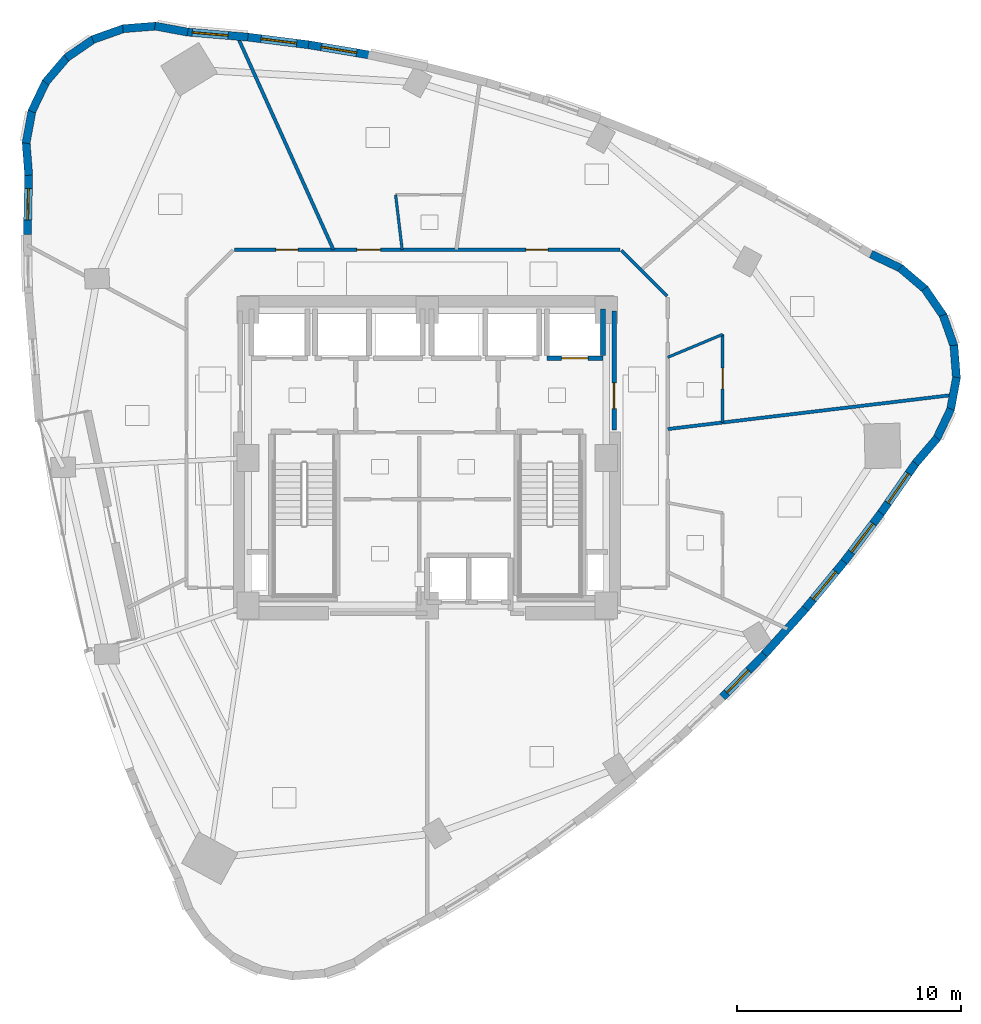
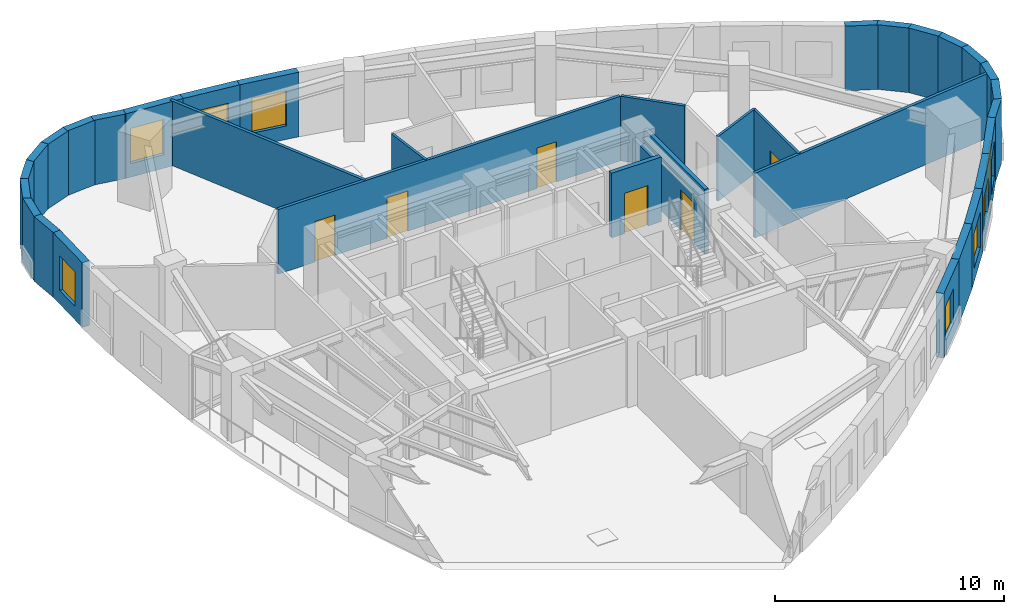
# One storey, part 8 of 12: 35 walls, 8 windows, 6 doors, 14 openings.
"""IFC4 building model written with IfcOpenShell, lengths in metres."""

import ifcopenshell
import ifcopenshell.guid

model = None  # the IFC model being written
_history = None  # IfcOwnerHistory: only IFC2X3 demands one
_inside = {}  # id of a spatial element -> (the spatial element, [elements in it])
_under = {}  # id of a project, library or spatial element -> (it, [spatial elements below it])
_declared = {}  # id of a project -> (the project, [libraries it declares])
_typed = {}  # id of a type object -> (the type object, [elements of that type])
_made_of = {}  # id of a material, layer set ... -> (it, [elements and type objects made of it])


def new_model(schema):
    """Start an empty IFC model of exactly this schema.

    Asked for "IFC4X3", IfcOpenShell would pick the latest addendum, in which some entities
    have other attributes; the version numbers below select the first issue.
    IFC2X3 requires an IfcOwnerHistory on every rooted entity: one is made here for all.
    """
    global model, _history
    if schema == "IFC4X3":
        model = ifcopenshell.file(schema_version=(4, 3, 0, 0))
    else:
        model = ifcopenshell.file(schema=schema)
    _inside.clear()
    _under.clear()
    _declared.clear()
    _typed.clear()
    _made_of.clear()
    _history = None
    if model.schema == "IFC2X3":
        org = make("IfcOrganization", Name="unknown")
        user = make(
            "IfcPersonAndOrganization",
            ThePerson=make("IfcPerson", FamilyName="unknown"),
            TheOrganization=org,
        )
        app = make(
            "IfcApplication",
            ApplicationDeveloper=org,
            Version="unknown",
            ApplicationFullName="unknown",
            ApplicationIdentifier="unknown",
        )
        _history = make(
            "IfcOwnerHistory",
            OwningUser=user,
            OwningApplication=app,
            ChangeAction="ADDED",
            CreationDate=0,
        )
    return model


def make(cls, **values):
    """One entity of the class cls with the attributes given. An attribute that is None is left unset."""
    return model.create_entity(
        cls, **{name: value for name, value in values.items() if value is not None}
    )


def rooted(cls, **values):
    """An entity with a GlobalId (a new one), such as an element, a storey or a relation."""
    return make(cls, GlobalId=ifcopenshell.guid.new(), OwnerHistory=_history, **values)


def si_unit(unit_type, name, prefix=None):
    """IfcSIUnit, for example si_unit("LENGTHUNIT", "METRE", prefix="MILLI")."""
    return make("IfcSIUnit", UnitType=unit_type, Prefix=prefix, Name=name)


def assignment(units):
    """IfcUnitAssignment: the units of a project."""
    return None if units is None else make("IfcUnitAssignment", Units=units)


def point(xyz):
    """IfcCartesianPoint."""
    return None if xyz is None else make("IfcCartesianPoint", Coordinates=xyz)


def direction(xyz):
    """IfcDirection."""
    return None if xyz is None else make("IfcDirection", DirectionRatios=xyz)


def frame(location, z_axis=None, x_axis=None):
    """IfcAxis2Placement3D, a coordinate frame: its origin and axes. An axis left out is left unset."""
    return make(
        "IfcAxis2Placement3D",
        Location=point(location),
        Axis=direction(z_axis),
        RefDirection=direction(x_axis),
    )


def frame_2d(location, x_axis=None):
    """IfcAxis2Placement2D, a coordinate frame in the plane: its origin and x axis."""
    return make(
        "IfcAxis2Placement2D", Location=point(location), RefDirection=direction(x_axis)
    )


def origin():
    """The frame at (0, 0, 0) with its axes left unset."""
    return frame((0.0, 0.0, 0.0))


def place(relative_to, where):
    """IfcLocalPlacement: puts the frame where relative to a parent placement (None: the world)."""
    return make(
        "IfcLocalPlacement", PlacementRelTo=relative_to, RelativePlacement=where
    )


def context(
    kind, dimensions, precision=None, world=None, true_north=None, identifier=None
):
    """IfcGeometricRepresentationContext, for example the 3D "Model" context."""
    return make(
        "IfcGeometricRepresentationContext",
        ContextIdentifier=identifier,
        ContextType=kind,
        CoordinateSpaceDimension=dimensions,
        Precision=precision,
        WorldCoordinateSystem=world,
        TrueNorth=true_north,
    )


def subcontext(parent, identifier, kind, view, scale=None):
    """IfcGeometricRepresentationSubContext, for example "Body" below "Model"."""
    return make(
        "IfcGeometricRepresentationSubContext",
        ContextIdentifier=identifier,
        ContextType=kind,
        ParentContext=parent,
        TargetScale=scale,
        TargetView=view,
    )


def project(units=None, contexts=None):
    """IfcProject with its units and contexts."""
    return rooted(
        "IfcProject",
        Name="project",
        RepresentationContexts=contexts,
        UnitsInContext=assignment(units),
    )


def spatial(cls, under=None, at=None, **own):
    """A site, building, storey or space (cls), placed at a placement, below another one or the project."""
    s = rooted(cls, ObjectPlacement=at, **own)
    if under is not None:
        _under.setdefault(under.id(), (under, []))[1].append(s)
    return s


def profile(cls, at=None, kind="AREA", **sizes):
    """A parametric profile (cls). Its sizes go by their IFC names, for example OverallWidth=200.0."""
    return make(cls, ProfileType=kind, Position=at, **sizes)


def rectangle(**sizes):
    """IfcRectangleProfileDef."""
    return profile("IfcRectangleProfileDef", **sizes)


def extrude(swept, where, along, depth):
    """IfcExtrudedAreaSolid: the profile swept, set in the frame where, extruded along a direction by depth."""
    return make(
        "IfcExtrudedAreaSolid",
        SweptArea=swept,
        Position=where,
        ExtrudedDirection=direction(along),
        Depth=depth,
    )


def shape(context_of_items, identifier, shape_type, items):
    """IfcShapeRepresentation: the items that make up one representation, for example the "Body"."""
    return make(
        "IfcShapeRepresentation",
        ContextOfItems=context_of_items,
        RepresentationIdentifier=identifier,
        RepresentationType=shape_type,
        Items=items,
    )


def material(Name=None, Category=None):
    """IfcMaterial."""
    return make("IfcMaterial", Name=Name, Category=Category)


def layer(
    of_material, thickness, ventilated=None, Name=None, Category=None, Priority=None
):
    """IfcMaterialLayer: one layer of a wall or slab, of a material (None: an air gap)."""
    return make(
        "IfcMaterialLayer",
        Material=of_material,
        LayerThickness=thickness,
        IsVentilated=ventilated,
        Name=Name,
        Category=Category,
        Priority=Priority,
    )


def layer_set(layers, Name=None):
    """IfcMaterialLayerSet."""
    return make("IfcMaterialLayerSet", MaterialLayers=layers, LayerSetName=Name)


def made_of(thing, what):
    """Note that an element or type object is made of a material, layer set ...; save() writes the relation."""
    if what is not None:
        _made_of.setdefault(what.id(), (what, []))[1].append(thing)
    return thing


def type_object(cls, material=None, **own):
    """A type object (cls), such as IfcWallType, which elements share."""
    return made_of(rooted(cls, **own), material)


def element(
    cls,
    number,
    at=None,
    inside=None,
    cuts=None,
    type_object=None,
    material=None,
    context=None,
    identifier="Body",
    shape_type=None,
    held_by="IfcProductDefinitionShape",
    body=None,
    shapes=None,
    **own,
):
    """One element of the class cls, such as IfcWall. Its Tag is "e" and its number.

    at: its placement. inside: the storey or other place that contains it. cuts: it is an
    opening in that element (IfcRelVoidsElement). A single representation is given by context,
    identifier, shape_type and body (its items); several are given by shapes. held_by: the class
    of the entity that holds the representations. save() writes the other relations.
    """
    e = rooted(cls, Tag="e%d" % number, ObjectPlacement=at, **own)
    if body is not None:
        shapes = [shape(context, identifier, shape_type, body)]
    if shapes is not None:
        e.Representation = make(held_by, Representations=shapes)
    if inside is not None:
        _inside.setdefault(inside.id(), (inside, []))[1].append(e)
    if cuts is not None:
        rooted(
            "IfcRelVoidsElement", RelatingBuildingElement=cuts, RelatedOpeningElement=e
        )
    if type_object is not None:
        _typed.setdefault(type_object.id(), (type_object, []))[1].append(e)
    return made_of(e, material)


def fill(opening, filler):
    """IfcRelFillsElement: the door or window that sits in an opening."""
    return rooted(
        "IfcRelFillsElement",
        RelatingOpeningElement=opening,
        RelatedBuildingElement=filler,
    )


def aggregate(whole, parts):
    """IfcRelAggregates: a whole, such as a stair, and the parts it consists of."""
    return rooted("IfcRelAggregates", RelatingObject=whole, RelatedObjects=parts)


def save(model, path):
    """Write the relations noted so far, then the file.

    IfcRelAggregates (storeys below a building ...), IfcRelContainedInSpatialStructure (elements
    in a storey), IfcRelDefinesByType, IfcRelAssociatesMaterial and IfcRelDeclares: one each for
    every whole, place, type object, material and project.
    """
    for whole, parts in _under.values():
        aggregate(whole, parts)
    for where, things in _inside.values():
        rooted(
            "IfcRelContainedInSpatialStructure",
            RelatedElements=things,
            RelatingStructure=where,
        )
    for kind, things in _typed.values():
        rooted("IfcRelDefinesByType", RelatedObjects=things, RelatingType=kind)
    for what, things in _made_of.values():
        rooted("IfcRelAssociatesMaterial", RelatedObjects=things, RelatingMaterial=what)
    for by, libraries in _declared.values():
        rooted("IfcRelDeclares", RelatingContext=by, RelatedDefinitions=libraries)
    model.write(path)


model = new_model("IFC4")

# Units and contexts
model_context = context("Model", 3, precision=1e-05, world=origin(), true_north=direction((0.0, 1.0)))
body_context = subcontext(model_context, "Body", "Model", "MODEL_VIEW")
ifc_project = project(units=[si_unit("LENGTHUNIT", "METRE"), si_unit("AREAUNIT", "SQUARE_METRE"), si_unit("VOLUMEUNIT", "CUBIC_METRE"), si_unit("PLANEANGLEUNIT", "RADIAN"), si_unit("MASSUNIT", "GRAM", prefix="KILO")], contexts=[model_context])

# Site, building, storey
site_placement = place(None, origin())
site = spatial("IfcSite", under=ifc_project, at=site_placement, CompositionType="ELEMENT")
building_placement = place(site_placement, origin())
building = spatial("IfcBuilding", under=site, at=building_placement, Name="Ndelora Gate Hotel", CompositionType="ELEMENT")
storey_placement = place(building_placement, frame((0.0, 0.0, 164.75)))
storey = spatial("IfcBuildingStorey", under=building, at=storey_placement, Name="L41", CompositionType="ELEMENT", Elevation=164.75)

# Walls
ifc_material_1 = material(Name="Clay Brick Masonry", Category="masonry")
ifc_layer_1 = layer(ifc_material_1, 0.360107421875)
ifc_layer_set_1 = layer_set([ifc_layer_1], Name="Clay Brick Masonry")
wall_type_1 = type_object("IfcWallType", Name="WL-BRICK-360", PredefinedType="SOLIDWALL", material=ifc_layer_set_1)
for number, where, z_axis, x_axis, name in (
    (1, (-12.156005859375, 19.2900390625, 0.0), (0.0, 0.0, 1.0), (0.983256934468, -0.182224588958, 0.0), "L41 Tower Brick Pier-and-Spandrel Wall TWR-1"),
    (2, (-13.587646484375, 19.1708984375, 0.0), (0.0, 0.0, 1.0), (0.996910688745, 0.078543482647, 0.0), "L41 Tower Brick Pier-and-Spandrel Wall TWR-2"),
):
    element("IfcWall", number, at=place(storey_placement, frame(where, z_axis=z_axis, x_axis=x_axis)), inside=storey, type_object=wall_type_1, Name=name, PredefinedType="SOLIDWALL", context=body_context, shape_type="SweptSolid", body=[
        extrude(rectangle(XDim=1.48583984375, YDim=0.360107421875, at=frame_2d((0.742919921875, 0.0))), origin(), (0.0, 0.0, 1.0), 3.43994140625),
    ])
wall_1_placement = place(storey_placement, frame((-14.939697265625, 18.685302734375, 0.0), z_axis=(0.0, 0.0, 1.0), x_axis=(0.942653080659, 0.333774129501, 0.0)))
element("IfcWall", 3, at=wall_1_placement, inside=storey, type_object=wall_type_1, Name="L41 Tower Brick Pier-and-Spandrel Wall TWR-3", PredefinedType="SOLIDWALL", context=body_context, shape_type="SweptSolid", body=[
    extrude(rectangle(XDim=1.485595703125, YDim=0.360107421875, at=frame_2d((0.74267578125, 0.0))), origin(), (0.0, 0.0, 1.0), 3.43994140625),
])
for number, where, z_axis, x_axis, name in (
    (4, (-16.1201171875, 17.8662109375, 0.0), (0.0, 0.0, 1.0), (0.824156964718, 0.566361454821, 0.0), "L41 Tower Brick Pier-and-Spandrel Wall TWR-4"),
    (5, (-17.048095703125, 16.76953125, 0.0), (0.0, 0.0, 1.0), (0.649382924078, 0.760461582144, 0.0), "L41 Tower Brick Pier-and-Spandrel Wall TWR-5"),
    (6, (-17.660888671875, 15.469970703125, 0.0), (0.0, 0.0, 1.0), (0.430507535938, 0.902586982789, 0.0), "L41 Tower Brick Pier-and-Spandrel Wall TWR-6"),
):
    element("IfcWall", number, at=place(storey_placement, frame(where, z_axis=z_axis, x_axis=x_axis)), inside=storey, type_object=wall_type_1, Name=name, PredefinedType="SOLIDWALL", context=body_context, shape_type="SweptSolid", body=[
        extrude(rectangle(XDim=1.48583984375, YDim=0.360107421875, at=frame_2d((0.742919921875, 0.0))), origin(), (0.0, 0.0, 1.0), 3.43994140625),
    ])
wall_2_placement = place(storey_placement, frame((-17.916259765625, 14.056396484375, 0.0), z_axis=(0.0, 0.0, 1.0), x_axis=(0.182254034422, 0.983251476956, 0.0)))
element("IfcWall", 7, at=wall_2_placement, inside=storey, type_object=wall_type_1, Name="L41 Tower Brick Pier-and-Spandrel Wall TWR-7", PredefinedType="SOLIDWALL", context=body_context, shape_type="SweptSolid", body=[
    extrude(rectangle(XDim=1.485595703125, YDim=0.360107421875, at=frame_2d((0.74267578125, 0.0))), origin(), (0.0, 0.0, 1.0), 3.43994140625),
])
wall_3_placement = place(storey_placement, frame((-17.797119140625, 12.62451171875, 0.0), z_axis=(0.0, 0.0, 1.0), x_axis=(-0.078543482647, 0.996910688745, 0.0)))
element("IfcWall", 8, at=wall_3_placement, inside=storey, type_object=wall_type_1, Name="L41 Tower Brick Pier-and-Spandrel Wall TWR-8", PredefinedType="SOLIDWALL", context=body_context, shape_type="SweptSolid", body=[
    extrude(rectangle(XDim=1.48583984375, YDim=0.360107421875, at=frame_2d((0.742919921875, 0.0))), origin(), (0.0, 0.0, 1.0), 3.43994140625),
])

# Wall, opening, window
wall_4_placement = place(storey_placement, frame((-17.855224609375, 9.9833984375, 0.0), z_axis=(0.0, 0.0, 1.0), x_axis=(0.021042241885, 0.999778587516, 0.0)))
wall_4 = element("IfcWall", 9, at=wall_4_placement, inside=storey, type_object=wall_type_1, Name="L41 Tower Brick Pier-and-Spandrel Wall TWR-9", PredefinedType="SOLIDWALL", context=body_context, shape_type="SweptSolid", body=[
    extrude(rectangle(XDim=2.691650390625, YDim=0.360107421875, at=frame_2d((1.345703125, 0.0))), origin(), (0.0, 0.0, 1.0), 3.43994140625),
])
opening_1_placement = place(wall_4_placement, frame((0.645751953125, 0.0, 0.719970703125)))
opening_1 = element("IfcOpeningElement", 10, at=opening_1_placement, cuts=wall_4, Name="Opening W02", PredefinedType="OPENING", context=body_context, shape_type="SweptSolid", body=[
    extrude(rectangle(XDim=1.39990234375, YDim=1.840087890625, at=frame_2d((0.699951171875, 0.919921875))), frame((0.0, 0.18994140625, 0.0), z_axis=(0.0, -1.0, 0.0), x_axis=(1.0, 0.0, 0.0)), (0.0, 0.0, 1.0), 0.380126953125),
])
ifc_material_2 = material(Name="Insulated Low-E Double Glazing in Bronze Aluminium Frame", Category="aluminium")
window_type_1 = type_object("IfcWindowType", Name="WN-DEEP-1400", PartitioningType="SINGLE_PANEL", PredefinedType="WINDOW", material=ifc_material_2)
window_1_placement = place(opening_1_placement, origin())
window_1 = element("IfcWindow", 11, at=window_1_placement, inside=storey, type_object=window_type_1, Name="L41 Deep-Set Brick-Pier Window W02", OverallHeight=1.840087890625, OverallWidth=1.39990234375, PartitioningType="SINGLE_PANEL", PredefinedType="WINDOW", context=body_context, shape_type="SweptSolid", body=[
    extrude(rectangle(XDim=1.39990234375, YDim=1.840087890625, at=frame_2d((0.699951171875, 0.919921875))), frame((0.0, 0.030029296875, 0.0), z_axis=(0.0, -1.0, 0.0), x_axis=(1.0, 0.0, 0.0)), (0.0, 0.0, 1.0), 0.06005859375),
])
fill(opening_1, window_1)

wall_5_placement = place(storey_placement, frame((15.1083984375, -8.73486328125, 0.0), z_axis=(0.0, 0.0, 1.0), x_axis=(-0.699070972554, -0.71505228853, 0.0)))
wall_5 = element("IfcWall", 12, at=wall_5_placement, inside=storey, type_object=wall_type_1, Name="L41 Tower Brick Pier-and-Spandrel Wall TWR-34", PredefinedType="SOLIDWALL", context=body_context, shape_type="SweptSolid", body=[
    extrude(rectangle(XDim=2.734619140625, YDim=0.360107421875, at=frame_2d((1.3671875, 0.0))), origin(), (0.0, 0.0, 1.0), 3.43994140625),
])
opening_2_placement = place(wall_5_placement, frame((1.06005859375, 0.0, 0.719970703125)))
opening_2 = element("IfcOpeningElement", 13, at=opening_2_placement, cuts=wall_5, Name="Opening W02", PredefinedType="OPENING", context=body_context, shape_type="SweptSolid", body=[
    extrude(rectangle(XDim=1.39990234375, YDim=1.840087890625, at=frame_2d((0.699951171875, 0.919921875))), frame((0.0, 0.18994140625, 0.0), z_axis=(0.0, -1.0, 0.0), x_axis=(1.0, 0.0, 0.0)), (0.0, 0.0, 1.0), 0.380126953125),
])
window_2_placement = place(opening_2_placement, origin())
window_2 = element("IfcWindow", 14, at=window_2_placement, inside=storey, type_object=window_type_1, Name="L41 Deep-Set Brick-Pier Window W02", OverallHeight=1.840087890625, OverallWidth=1.39990234375, PartitioningType="SINGLE_PANEL", PredefinedType="WINDOW", context=body_context, shape_type="SweptSolid", body=[
    extrude(rectangle(XDim=1.39990234375, YDim=1.840087890625, at=frame_2d((0.699951171875, 0.919921875))), frame((0.0, 0.030029296875, 0.0), z_axis=(0.0, -1.0, 0.0), x_axis=(1.0, 0.0, 0.0)), (0.0, 0.0, 1.0), 0.06005859375),
])
fill(opening_2, window_2)

# Wall
wall_6_placement = place(storey_placement, frame((16.907958984375, -6.72998046875, 0.0), z_axis=(0.0, 0.0, 1.0), x_axis=(-0.668236939939, -0.743948514415, 0.0)))
element("IfcWall", 15, at=wall_6_placement, inside=storey, type_object=wall_type_1, Name="L41 Tower Brick Pier-and-Spandrel Wall TWR-35", PredefinedType="SOLIDWALL", context=body_context, shape_type="SweptSolid", body=[
    extrude(rectangle(XDim=2.744140625, YDim=0.360107421875, at=frame_2d((1.3720703125, 0.0))), origin(), (0.0, 0.0, 1.0), 3.43994140625),
])

# Wall, opening, window
wall_7_placement = place(storey_placement, frame((18.631103515625, -4.640625, 0.0), z_axis=(0.0, 0.0, 1.0), x_axis=(-0.636538297182, -0.771245094779, 0.0)))
wall_7 = element("IfcWall", 16, at=wall_7_placement, inside=storey, type_object=wall_type_1, Name="L41 Tower Brick Pier-and-Spandrel Wall TWR-36", PredefinedType="SOLIDWALL", context=body_context, shape_type="SweptSolid", body=[
    extrude(rectangle(XDim=2.758544921875, YDim=0.360107421875, at=frame_2d((1.37939453125, 0.0))), origin(), (0.0, 0.0, 1.0), 3.43994140625),
])
opening_3_placement = place(wall_7_placement, frame((0.5791015625, 0.0, 0.719970703125)))
opening_3 = element("IfcOpeningElement", 17, at=opening_3_placement, cuts=wall_7, Name="Opening W01", PredefinedType="OPENING", context=body_context, shape_type="SweptSolid", body=[
    extrude(rectangle(XDim=1.60009765625, YDim=1.8798828125, at=frame_2d((0.800048828125, 0.93994140625))), frame((0.0, 0.18994140625, 0.0), z_axis=(0.0, -1.0, 0.0), x_axis=(1.0, 0.0, 0.0)), (0.0, 0.0, 1.0), 0.380126953125),
])
window_type_2 = type_object("IfcWindowType", Name="WN-DEEP-1600", PartitioningType="SINGLE_PANEL", PredefinedType="WINDOW", material=ifc_material_2)
window_3_placement = place(opening_3_placement, origin())
window_3 = element("IfcWindow", 18, at=window_3_placement, inside=storey, type_object=window_type_2, Name="L41 Deep-Set Brick-Pier Window W01", OverallHeight=1.8798828125, OverallWidth=1.60009765625, PartitioningType="SINGLE_PANEL", PredefinedType="WINDOW", context=body_context, shape_type="SweptSolid", body=[
    extrude(rectangle(XDim=1.60009765625, YDim=1.8798828125, at=frame_2d((0.800048828125, 0.93994140625))), frame((0.0, 0.030029296875, 0.0), z_axis=(0.0, -1.0, 0.0), x_axis=(1.0, 0.0, 0.0)), (0.0, 0.0, 1.0), 0.06005859375),
])
fill(opening_3, window_3)

wall_8_placement = place(storey_placement, frame((20.2783203125, -2.466552734375, 0.0), z_axis=(0.0, 0.0, 1.0), x_axis=(-0.604224865549, -0.796813850189, 0.0)))
wall_8 = element("IfcWall", 19, at=wall_8_placement, inside=storey, type_object=wall_type_1, Name="L41 Tower Brick Pier-and-Spandrel Wall TWR-37", PredefinedType="SOLIDWALL", context=body_context, shape_type="SweptSolid", body=[
    extrude(rectangle(XDim=2.777587890625, YDim=0.360107421875, at=frame_2d((1.388671875, 0.0))), origin(), (0.0, 0.0, 1.0), 3.43994140625),
])
opening_4_placement = place(wall_8_placement, frame((0.588623046875, 0.0, 0.719970703125)))
opening_4 = element("IfcOpeningElement", 20, at=opening_4_placement, cuts=wall_8, Name="Opening W03", PredefinedType="OPENING", context=body_context, shape_type="SweptSolid", body=[
    extrude(rectangle(XDim=1.60009765625, YDim=1.8798828125, at=frame_2d((0.800048828125, 0.93994140625))), frame((0.0, 0.18994140625, 0.0), z_axis=(0.0, -1.0, 0.0), x_axis=(1.0, 0.0, 0.0)), (0.0, 0.0, 1.0), 0.380126953125),
])
window_type_3 = type_object("IfcWindowType", Name="WN-CORN-2100", PartitioningType="SINGLE_PANEL", PredefinedType="WINDOW", material=ifc_material_2)
window_4_placement = place(opening_4_placement, origin())
window_4 = element("IfcWindow", 21, at=window_4_placement, inside=storey, type_object=window_type_3, Name="L41 Deep-Set Brick-Pier Window W03", OverallHeight=1.8798828125, OverallWidth=1.60009765625, PartitioningType="SINGLE_PANEL", PredefinedType="WINDOW", context=body_context, shape_type="SweptSolid", body=[
    extrude(rectangle(XDim=1.60009765625, YDim=1.8798828125, at=frame_2d((0.800048828125, 0.93994140625))), frame((0.0, 0.030029296875, 0.0), z_axis=(0.0, -1.0, 0.0), x_axis=(1.0, 0.0, 0.0)), (0.0, 0.0, 1.0), 0.06005859375),
])
fill(opening_4, window_4)

wall_9_placement = place(storey_placement, frame((21.849365234375, -0.2080078125, 0.0), z_axis=(0.0, 0.0, 1.0), x_axis=(-0.571360652728, -0.820699094988, 0.0)))
wall_9 = element("IfcWall", 22, at=wall_9_placement, inside=storey, type_object=wall_type_1, Name="L41 Tower Brick Pier-and-Spandrel Wall TWR-38", PredefinedType="SOLIDWALL", context=body_context, shape_type="SweptSolid", body=[
    extrude(rectangle(XDim=2.80126953125, YDim=0.360107421875, at=frame_2d((1.400634765625, 0.0))), origin(), (0.0, 0.0, 1.0), 3.43994140625),
])
opening_5_placement = place(wall_9_placement, frame((0.6005859375, 0.0, 0.719970703125)))
opening_5 = element("IfcOpeningElement", 23, at=opening_5_placement, cuts=wall_9, Name="Opening W01", PredefinedType="OPENING", context=body_context, shape_type="SweptSolid", body=[
    extrude(rectangle(XDim=1.60009765625, YDim=1.8798828125, at=frame_2d((0.800048828125, 0.93994140625))), frame((0.0, 0.18994140625, 0.0), z_axis=(0.0, -1.0, 0.0), x_axis=(1.0, 0.0, 0.0)), (0.0, 0.0, 1.0), 0.380126953125),
])
window_5_placement = place(opening_5_placement, origin())
window_5 = element("IfcWindow", 24, at=window_5_placement, inside=storey, type_object=window_type_2, Name="L41 Deep-Set Brick-Pier Window W01", OverallHeight=1.8798828125, OverallWidth=1.60009765625, PartitioningType="SINGLE_PANEL", PredefinedType="WINDOW", context=body_context, shape_type="SweptSolid", body=[
    extrude(rectangle(XDim=1.60009765625, YDim=1.8798828125, at=frame_2d((0.800048828125, 0.93994140625))), frame((0.0, 0.030029296875, 0.0), z_axis=(0.0, -1.0, 0.0), x_axis=(1.0, 0.0, 0.0)), (0.0, 0.0, 1.0), 0.06005859375),
])
fill(opening_5, window_5)

# Walls
wall_10_placement = place(storey_placement, frame((22.78369140625, 0.88232421875, 0.0), z_axis=(0.0, 0.0, 1.0), x_axis=(-0.649464075578, -0.760392276745, 0.0)))
element("IfcWall", 25, at=wall_10_placement, inside=storey, type_object=wall_type_1, Name="L41 Tower Brick Pier-and-Spandrel Wall TWR-39", PredefinedType="SOLIDWALL", context=body_context, shape_type="SweptSolid", body=[
    extrude(rectangle(XDim=1.485595703125, YDim=0.360107421875, at=frame_2d((0.74267578125, 0.0))), origin(), (0.0, 0.0, 1.0), 3.43994140625),
])
for number, where, z_axis, x_axis, name in (
    (26, (23.396484375, 2.181884765625, 0.0), (0.0, 0.0, 1.0), (-0.430641383823, -0.902523129088, 0.0), "L41 Tower Brick Pier-and-Spandrel Wall TWR-40"),
    (27, (23.65185546875, 3.595703125, 0.0), (0.0, 0.0, 1.0), (-0.182224588958, -0.983256934468, 0.0), "L41 Tower Brick Pier-and-Spandrel Wall TWR-41"),
    (28, (23.53271484375, 5.02734375, 0.0), (0.0, 0.0, 1.0), (0.078380176262, -0.996923541687, 0.0), "L41 Tower Brick Pier-and-Spandrel Wall TWR-42"),
    (29, (23.047119140625, 6.37939453125, 0.0), (0.0, 0.0, 1.0), (0.33372243025, -0.942671384708, 0.0), "L41 Tower Brick Pier-and-Spandrel Wall TWR-43"),
):
    element("IfcWall", number, at=place(storey_placement, frame(where, z_axis=z_axis, x_axis=x_axis)), inside=storey, type_object=wall_type_1, Name=name, PredefinedType="SOLIDWALL", context=body_context, shape_type="SweptSolid", body=[
        extrude(rectangle(XDim=1.48583984375, YDim=0.360107421875, at=frame_2d((0.742919921875, 0.0))), origin(), (0.0, 0.0, 1.0), 3.43994140625),
    ])
wall_11_placement = place(storey_placement, frame((22.227783203125, 7.559814453125, 0.0), z_axis=(0.0, 0.0, 1.0), x_axis=(0.56647304132, -0.824080271247, 0.0)))
element("IfcWall", 30, at=wall_11_placement, inside=storey, type_object=wall_type_1, Name="L41 Tower Brick Pier-and-Spandrel Wall TWR-44", PredefinedType="SOLIDWALL", context=body_context, shape_type="SweptSolid", body=[
    extrude(rectangle(XDim=1.486083984375, YDim=0.360107421875, at=frame_2d((0.7431640625, 0.0))), origin(), (0.0, 0.0, 1.0), 3.43994140625),
])
wall_12_placement = place(storey_placement, frame((21.13134765625, 8.48779296875, 0.0), z_axis=(0.0, 0.0, 1.0), x_axis=(0.760392276745, -0.649464075578, 0.0)))
element("IfcWall", 31, at=wall_12_placement, inside=storey, type_object=wall_type_1, Name="L41 Tower Brick Pier-and-Spandrel Wall TWR-45", PredefinedType="SOLIDWALL", context=body_context, shape_type="SweptSolid", body=[
    extrude(rectangle(XDim=1.485595703125, YDim=0.360107421875, at=frame_2d((0.74267578125, 0.0))), origin(), (0.0, 0.0, 1.0), 3.43994140625),
])
wall_13_placement = place(storey_placement, frame((19.831787109375, 9.1005859375, 0.0), z_axis=(0.0, 0.0, 1.0), x_axis=(0.902523129088, -0.430641383823, 0.0)))
element("IfcWall", 32, at=wall_13_placement, inside=storey, type_object=wall_type_1, Name="L41 Tower Brick Pier-and-Spandrel Wall TWR-46", PredefinedType="SOLIDWALL", context=body_context, shape_type="SweptSolid", body=[
    extrude(rectangle(XDim=1.48583984375, YDim=0.360107421875, at=frame_2d((0.742919921875, 0.0))), origin(), (0.0, 0.0, 1.0), 3.43994140625),
])

# Wall, opening, window
wall_14_placement = place(storey_placement, frame((-5.296875, 18.455322265625, 0.0), z_axis=(0.0, 0.0, 1.0), x_axis=(0.986180213116, -0.16567615175, 0.0)))
wall_14 = element("IfcWall", 33, at=wall_14_placement, inside=storey, type_object=wall_type_1, Name="L41 Tower Brick Pier-and-Spandrel Wall TWR-56", PredefinedType="SOLIDWALL", context=body_context, shape_type="SweptSolid", body=[
    extrude(rectangle(XDim=2.758544921875, YDim=0.360107421875, at=frame_2d((1.37939453125, 0.0))), origin(), (0.0, 0.0, 1.0), 3.43994140625),
])
opening_6_placement = place(wall_14_placement, frame((0.5791015625, 0.0, 0.719970703125)))
opening_6 = element("IfcOpeningElement", 34, at=opening_6_placement, cuts=wall_14, Name="Opening W01", PredefinedType="OPENING", context=body_context, shape_type="SweptSolid", body=[
    extrude(rectangle(XDim=1.60009765625, YDim=1.8798828125, at=frame_2d((0.800048828125, 0.93994140625))), frame((0.0, 0.18994140625, 0.0), z_axis=(0.0, -1.0, 0.0), x_axis=(1.0, 0.0, 0.0)), (0.0, 0.0, 1.0), 0.380126953125),
])
window_6_placement = place(opening_6_placement, origin())
window_6 = element("IfcWindow", 35, at=window_6_placement, inside=storey, type_object=window_type_2, Name="L41 Deep-Set Brick-Pier Window W01", OverallHeight=1.8798828125, OverallWidth=1.60009765625, PartitioningType="SINGLE_PANEL", PredefinedType="WINDOW", context=body_context, shape_type="SweptSolid", body=[
    extrude(rectangle(XDim=1.60009765625, YDim=1.8798828125, at=frame_2d((0.800048828125, 0.93994140625))), frame((0.0, 0.030029296875, 0.0), z_axis=(0.0, -1.0, 0.0), x_axis=(1.0, 0.0, 0.0)), (0.0, 0.0, 1.0), 0.06005859375),
])
fill(opening_6, window_6)

wall_15_placement = place(storey_placement, frame((-8.003173828125, 18.794921875, 0.0), z_axis=(0.0, 0.0, 1.0), x_axis=(0.992180208289, -0.124813598137, 0.0)))
wall_15 = element("IfcWall", 36, at=wall_15_placement, inside=storey, type_object=wall_type_1, Name="L41 Tower Brick Pier-and-Spandrel Wall TWR-57", PredefinedType="SOLIDWALL", context=body_context, shape_type="SweptSolid", body=[
    extrude(rectangle(XDim=2.777587890625, YDim=0.360107421875, at=frame_2d((1.388671875, 0.0))), origin(), (0.0, 0.0, 1.0), 3.43994140625),
])
opening_7_placement = place(wall_15_placement, frame((0.5888671875, 0.0, 0.719970703125)))
opening_7 = element("IfcOpeningElement", 37, at=opening_7_placement, cuts=wall_15, Name="Opening W03", PredefinedType="OPENING", context=body_context, shape_type="SweptSolid", body=[
    extrude(rectangle(XDim=1.60009765625, YDim=1.8798828125, at=frame_2d((0.800048828125, 0.93994140625))), frame((0.0, 0.18994140625, 0.0), z_axis=(0.0, -1.0, 0.0), x_axis=(1.0, 0.0, 0.0)), (0.0, 0.0, 1.0), 0.380126953125),
])
window_7_placement = place(opening_7_placement, origin())
window_7 = element("IfcWindow", 38, at=window_7_placement, inside=storey, type_object=window_type_3, Name="L41 Deep-Set Brick-Pier Window W03", OverallHeight=1.8798828125, OverallWidth=1.60009765625, PartitioningType="SINGLE_PANEL", PredefinedType="WINDOW", context=body_context, shape_type="SweptSolid", body=[
    extrude(rectangle(XDim=1.60009765625, YDim=1.8798828125, at=frame_2d((0.800048828125, 0.93994140625))), frame((0.0, 0.030029296875, 0.0), z_axis=(0.0, -1.0, 0.0), x_axis=(1.0, 0.0, 0.0)), (0.0, 0.0, 1.0), 0.06005859375),
])
fill(opening_7, window_7)

wall_16_placement = place(storey_placement, frame((-10.74462890625, 19.02587890625, 0.0), z_axis=(0.0, 0.0, 1.0), x_axis=(0.996434889396, -0.084365343561, 0.0)))
wall_16 = element("IfcWall", 39, at=wall_16_placement, inside=storey, type_object=wall_type_1, Name="L41 Tower Brick Pier-and-Spandrel Wall TWR-58", PredefinedType="SOLIDWALL", context=body_context, shape_type="SweptSolid", body=[
    extrude(rectangle(XDim=2.80126953125, YDim=0.360107421875, at=frame_2d((1.400634765625, 0.0))), origin(), (0.0, 0.0, 1.0), 3.43994140625),
])
opening_8_placement = place(wall_16_placement, frame((0.260009765625, 0.0, 0.719970703125)))
opening_8 = element("IfcOpeningElement", 40, at=opening_8_placement, cuts=wall_16, Name="Opening W01", PredefinedType="OPENING", context=body_context, shape_type="SweptSolid", body=[
    extrude(rectangle(XDim=1.60009765625, YDim=1.8798828125, at=frame_2d((0.800048828125, 0.93994140625))), frame((0.0, 0.18994140625, 0.0), z_axis=(0.0, -1.0, 0.0), x_axis=(1.0, 0.0, 0.0)), (0.0, 0.0, 1.0), 0.380126953125),
])
window_8_placement = place(opening_8_placement, origin())
window_8 = element("IfcWindow", 41, at=window_8_placement, inside=storey, type_object=window_type_2, Name="L41 Deep-Set Brick-Pier Window W01", OverallHeight=1.8798828125, OverallWidth=1.60009765625, PartitioningType="SINGLE_PANEL", PredefinedType="WINDOW", context=body_context, shape_type="SweptSolid", body=[
    extrude(rectangle(XDim=1.60009765625, YDim=1.8798828125, at=frame_2d((0.800048828125, 0.93994140625))), frame((0.0, 0.030029296875, 0.0), z_axis=(0.0, -1.0, 0.0), x_axis=(1.0, 0.0, 0.0)), (0.0, 0.0, 1.0), 0.06005859375),
])
fill(opening_8, window_8)

# Wall, opening, door
ifc_material_3 = material(Name="Concrete C40/50", Category="concrete")
ifc_layer_2 = layer(ifc_material_3, 0.199951171875)
ifc_layer_set_2 = layer_set([ifc_layer_2], Name="Concrete C40/50")
wall_type_2 = type_object("IfcWallType", Name="WL-FIRE-200", PredefinedType="PARTITIONING", material=ifc_layer_set_2)
wall_17_placement = place(storey_placement, frame((8.35009765625, 1.25, 0.0), z_axis=(0.0, 0.0, 1.0), x_axis=(0.0, 1.0, 0.0)))
wall_17 = element("IfcWall", 42, at=wall_17_placement, inside=storey, type_object=wall_type_2, Name="L41 Interior Wall IW-2", PredefinedType="PARTITIONING", context=body_context, shape_type="SweptSolid", body=[
    extrude(rectangle(XDim=5.300048828125, YDim=0.199951171875, at=frame_2d((2.64990234375, 0.0))), origin(), (0.0, 0.0, 1.0), 3.43994140625),
])
opening_9_placement = place(wall_17_placement, frame((0.949951171875, 0.0, 0.0)))
opening_9 = element("IfcOpeningElement", 43, at=opening_9_placement, cuts=wall_17, Name="Opening FD1", PredefinedType="OPENING", context=body_context, shape_type="SweptSolid", body=[
    extrude(rectangle(XDim=1.14990234375, YDim=2.14990234375, at=frame_2d((0.574951171875, 1.074951171875))), frame((0.0, 0.10986328125, 0.0), z_axis=(0.0, -1.0, 0.0), x_axis=(1.0, 0.0, 0.0)), (0.0, 0.0, 1.0), 0.219970703125),
])
ifc_material_4 = material(Name="Fire-Rated Timber-Veneer Steel Core", Category="steel")
door_type_1 = type_object("IfcDoorType", Name="DR-FD60", OperationType="SINGLE_SWING_LEFT", PredefinedType="DOOR", material=ifc_material_4)
door_1_placement = place(opening_9_placement, origin())
door_1 = element("IfcDoor", 44, at=door_1_placement, inside=storey, type_object=door_type_1, Name="L41 Firefighting Lobby East Corridor Door", OperationType="SINGLE_SWING_RIGHT", OverallHeight=2.14990234375, OverallWidth=1.14990234375, PredefinedType="DOOR", context=body_context, shape_type="SweptSolid", body=[
    extrude(rectangle(XDim=1.14990234375, YDim=2.14990234375, at=frame_2d((0.574951171875, 1.074951171875))), frame((0.0, 0.02490234375, 0.0), z_axis=(0.0, -1.0, 0.0), x_axis=(1.0, 0.0, 0.0)), (0.0, 0.0, 1.0), 0.050048828125),
])
fill(opening_9, door_1)

# Wall
ifc_material_5 = material(Name="Fire-Rated Gypsum Stud Partition", Category="gypsum")
ifc_layer_3 = layer(ifc_material_5, 0.14990234375)
ifc_layer_set_3 = layer_set([ifc_layer_3], Name="Fire-Rated Gypsum Stud Partition")
wall_type_3 = type_object("IfcWallType", Name="WL-PART-150", PredefinedType="PARTITIONING", material=ifc_layer_set_3)
wall_18_placement = place(storey_placement, frame((8.67822265625, 9.271728515625, 0.0), z_axis=(0.0, 0.0, 1.0), x_axis=(0.707106781187, -0.707106781187, 0.0)))
element("IfcWall", 45, at=wall_18_placement, inside=storey, type_object=wall_type_3, Name="L41 Interior Wall IW-5", PredefinedType="PARTITIONING", context=body_context, shape_type="SweptSolid", body=[
    extrude(rectangle(XDim=2.889892578125, YDim=0.14990234375, at=frame_2d((1.44482421875, 0.0))), origin(), (0.0, 0.0, 1.0), 3.43994140625),
])

# Wall, openings, doors
wall_19_placement = place(storey_placement, frame((-8.610107421875, 9.300048828125, 0.0), z_axis=(0.0, 0.0, 1.0), x_axis=(1.0, 0.0, 0.0)))
wall_19 = element("IfcWall", 46, at=wall_19_placement, inside=storey, type_object=wall_type_3, Name="L41 Interior Wall IW-5", PredefinedType="PARTITIONING", context=body_context, shape_type="SweptSolid", body=[
    extrude(rectangle(XDim=17.22021484375, YDim=0.14990234375, at=frame_2d((8.610107421875, 0.0))), origin(), (0.0, 0.0, 1.0), 3.43994140625),
])
opening_10_placement = place(wall_19_placement, frame((5.47216796875, 0.0, 0.0)))
opening_10 = element("IfcOpeningElement", 47, at=opening_10_placement, cuts=wall_19, Name="Opening D07", PredefinedType="OPENING", context=body_context, shape_type="SweptSolid", body=[
    extrude(rectangle(XDim=1.06005859375, YDim=2.14990234375, at=frame_2d((0.530029296875, 1.074951171875))), frame((0.0, 0.0849609375, 0.0), z_axis=(0.0, -1.0, 0.0), x_axis=(1.0, 0.0, 0.0)), (0.0, 0.0, 1.0), 0.169921875),
])
opening_11_placement = place(wall_19_placement, frame((13.01806640625, 0.0, 0.0)))
opening_11 = element("IfcOpeningElement", 48, at=opening_11_placement, cuts=wall_19, Name="Opening D01", PredefinedType="OPENING", context=body_context, shape_type="SweptSolid", body=[
    extrude(rectangle(XDim=1.0, YDim=2.14990234375, at=frame_2d((0.5, 1.074951171875))), frame((0.0, 0.0849609375, 0.0), z_axis=(0.0, -1.0, 0.0), x_axis=(1.0, 0.0, 0.0)), (0.0, 0.0, 1.0), 0.169921875),
])
opening_12_placement = place(wall_19_placement, frame((1.852294921875, 0.0, 0.0)))
opening_12 = element("IfcOpeningElement", 49, at=opening_12_placement, cuts=wall_19, Name="Opening D01", PredefinedType="OPENING", context=body_context, shape_type="SweptSolid", body=[
    extrude(rectangle(XDim=1.0, YDim=2.14990234375, at=frame_2d((0.5, 1.074951171875))), frame((0.0, 0.0849609375, 0.0), z_axis=(0.0, -1.0, 0.0), x_axis=(1.0, 0.0, 0.0)), (0.0, 0.0, 1.0), 0.169921875),
])
ifc_material_6 = material(Name="Acoustic Hardwood Guest Entrance Door", Category="wood")
door_type_2 = type_object("IfcDoorType", Name="DR-COR-1000", OperationType="SINGLE_SWING_LEFT", PredefinedType="DOOR", material=ifc_material_6)
door_2_placement = place(opening_11_placement, origin())
door_2 = element("IfcDoor", 50, at=door_2_placement, inside=storey, type_object=door_type_2, Name="L41 Boardroom Conference Room Entrance Door", OperationType="SINGLE_SWING_LEFT", OverallHeight=2.14990234375, OverallWidth=1.0, PredefinedType="DOOR", context=body_context, shape_type="SweptSolid", body=[
    extrude(rectangle(XDim=1.0, YDim=2.14990234375, at=frame_2d((0.5, 1.074951171875))), frame((0.0, 0.02490234375, 0.0), z_axis=(0.0, -1.0, 0.0), x_axis=(1.0, 0.0, 0.0)), (0.0, 0.0, 1.0), 0.050048828125),
])
fill(opening_11, door_2)
door_3_placement = place(opening_12_placement, origin())
door_3 = element("IfcDoor", 51, at=door_3_placement, inside=storey, type_object=door_type_2, Name="L41 Executive Study Office Entrance Door", OperationType="SINGLE_SWING_LEFT", OverallHeight=2.14990234375, OverallWidth=1.0, PredefinedType="DOOR", context=body_context, shape_type="SweptSolid", body=[
    extrude(rectangle(XDim=1.0, YDim=2.14990234375, at=frame_2d((0.5, 1.074951171875))), frame((0.0, 0.02490234375, 0.0), z_axis=(0.0, -1.0, 0.0), x_axis=(1.0, 0.0, 0.0)), (0.0, 0.0, 1.0), 0.050048828125),
])
fill(opening_12, door_3)
ifc_material_7 = material(Name="Diplomatic Suite Acoustic Entrance Door", Category="wood")
door_type_3 = type_object("IfcDoorType", Name="DR-SUITE-1060", OperationType="SINGLE_SWING_LEFT", PredefinedType="DOOR", material=ifc_material_7)
door_4_placement = place(opening_10_placement, origin())
door_4 = element("IfcDoor", 52, at=door_4_placement, inside=storey, type_object=door_type_3, Name="L41 Corner Junior Suite 4403 Entrance Door", OperationType="SINGLE_SWING_RIGHT", OverallHeight=2.14990234375, OverallWidth=1.06005859375, PredefinedType="DOOR", context=body_context, shape_type="SweptSolid", body=[
    extrude(rectangle(XDim=1.06005859375, YDim=2.14990234375, at=frame_2d((0.530029296875, 1.074951171875))), frame((0.0, 0.02490234375, 0.0), z_axis=(0.0, -1.0, 0.0), x_axis=(1.0, 0.0, 0.0)), (0.0, 0.0, 1.0), 0.050048828125),
])
fill(opening_10, door_4)

# Walls
wall_20_placement = place(storey_placement, frame((10.75, 1.2861328125, 0.0), z_axis=(0.0, 0.0, 1.0), x_axis=(0.99291975517, 0.118787035455, 0.0)))
element("IfcWall", 53, at=wall_20_placement, inside=storey, type_object=wall_type_3, Name="L41 Interior Wall IW-5", PredefinedType="PARTITIONING", context=body_context, shape_type="SweptSolid", body=[
    extrude(rectangle(XDim=12.84765625, YDim=0.14990234375, at=frame_2d((6.423828125, 0.0))), origin(), (0.0, 0.0, 1.0), 3.43994140625),
])
wall_21_placement = place(storey_placement, frame((-4.185302734375, 9.300048828125, 0.0), z_axis=(0.0, 0.0, 1.0), x_axis=(-0.41041322582, 0.9118996568, 0.0)))
element("IfcWall", 54, at=wall_21_placement, inside=storey, type_object=wall_type_3, Name="L41 Interior Wall IW-5", PredefinedType="PARTITIONING", context=body_context, shape_type="SweptSolid", body=[
    extrude(rectangle(XDim=10.454833984375, YDim=0.14990234375, at=frame_2d((5.2275390625, 0.0))), origin(), (0.0, 0.0, 1.0), 3.43994140625),
])

# Wall, opening, door
ifc_layer_4 = layer(ifc_material_3, 0.219970703125)
ifc_layer_set_4 = layer_set([ifc_layer_4], Name="Concrete C40/50")
wall_type_4 = type_object("IfcWallType", Name="WL-SHAFT-220", PredefinedType="PARTITIONING", material=ifc_layer_set_4)
wall_22_placement = place(storey_placement, frame((5.35009765625, 4.449951171875, 0.0), z_axis=(0.0, 0.0, 1.0), x_axis=(1.0, 0.0, 0.0)))
wall_22 = element("IfcWall", 55, at=wall_22_placement, inside=storey, type_object=wall_type_4, Name="L41 Interior Wall IW-1", PredefinedType="PARTITIONING", context=body_context, shape_type="SweptSolid", body=[
    extrude(rectangle(XDim=2.5, YDim=0.219970703125, at=frame_2d((1.25, 0.0))), origin(), (0.0, 0.0, 1.0), 3.43994140625),
])
opening_13_placement = place(wall_22_placement, frame((0.659912109375, 0.0, 0.0)))
opening_13 = element("IfcOpeningElement", 56, at=opening_13_placement, cuts=wall_22, Name="Opening LD5", PredefinedType="OPENING", context=body_context, shape_type="SweptSolid", body=[
    extrude(rectangle(XDim=1.179931640625, YDim=2.14990234375, at=frame_2d((0.58984375, 1.074951171875))), frame((0.0, 0.1201171875, 0.0), z_axis=(0.0, -1.0, 0.0), x_axis=(1.0, 0.0, 0.0)), (0.0, 0.0, 1.0), 0.239990234375),
])
ifc_material_8 = material(Name="Firefighting Lift Stainless Sliding Landing Door", Category="metal")
door_type_4 = type_object("IfcDoorType", Name="DR-LD5", OperationType="DOUBLE_DOOR_SLIDING", PredefinedType="DOOR", material=ifc_material_8)
door_5_placement = place(opening_13_placement, origin())
door_5 = element("IfcDoor", 57, at=door_5_placement, inside=storey, type_object=door_type_4, Name="L41 Lift Landing Sliding Door FFL2", OperationType="DOUBLE_DOOR_SLIDING", OverallHeight=2.14990234375, OverallWidth=1.179931640625, PredefinedType="DOOR", context=body_context, shape_type="SweptSolid", body=[
    extrude(rectangle(XDim=1.179931640625, YDim=2.14990234375, at=frame_2d((0.58984375, 1.074951171875))), frame((0.0, 0.02490234375, 0.0), z_axis=(0.0, -1.0, 0.0), x_axis=(1.0, 0.0, 0.0)), (0.0, 0.0, 1.0), 0.050048828125),
])
fill(opening_13, door_5)

# Walls
wall_23_placement = place(storey_placement, frame((7.85009765625, 4.570068359375, 0.0), z_axis=(0.0, 0.0, 1.0), x_axis=(0.0, 1.0, 0.0)))
element("IfcWall", 58, at=wall_23_placement, inside=storey, type_object=wall_type_4, Name="L41 Interior Wall IW-1", PredefinedType="PARTITIONING", context=body_context, shape_type="SweptSolid", body=[
    extrude(rectangle(XDim=2.079833984375, YDim=0.219970703125, at=frame_2d((1.0400390625, 0.0))), origin(), (0.0, 0.0, 1.0), 3.06005859375),
])
ifc_material_9 = material(Name="Moisture-Resistant Bathroom Tile Partition", Category="gypsum")
ifc_layer_5 = layer(ifc_material_9, 0.1201171875)
ifc_layer_set_5 = layer_set([ifc_layer_5], Name="Moisture-Resistant Bathroom Tile Partition")
wall_type_5 = type_object("IfcWallType", Name="WL-WET-120", PredefinedType="PARTITIONING", material=ifc_layer_set_5)
wall_24_placement = place(storey_placement, frame((13.199951171875, 5.513671875, 0.0), z_axis=(0.0, 0.0, 1.0), x_axis=(-0.922725602601, -0.38545747146, 0.0)))
element("IfcWall", 59, at=wall_24_placement, inside=storey, type_object=wall_type_5, Name="L41 Interior Wall IW-7", PredefinedType="PARTITIONING", context=body_context, shape_type="SweptSolid", body=[
    extrude(rectangle(XDim=2.655029296875, YDim=0.1201171875, at=frame_2d((1.32763671875, 0.0))), origin(), (0.0, 0.0, 1.0), 3.43994140625),
])

# Wall, opening, door
wall_25_placement = place(storey_placement, frame((13.199951171875, 5.513671875, 0.0), z_axis=(0.0, 0.0, 1.0), x_axis=(0.0, -1.0, 0.0)))
wall_25 = element("IfcWall", 60, at=wall_25_placement, inside=storey, type_object=wall_type_5, Name="L41 Interior Wall IW-7", PredefinedType="PARTITIONING", context=body_context, shape_type="SweptSolid", body=[
    extrude(rectangle(XDim=3.9345703125, YDim=0.1201171875, at=frame_2d((1.96728515625, 0.0))), origin(), (0.0, 0.0, 1.0), 3.43994140625),
])
opening_14_placement = place(wall_25_placement, frame((1.507080078125, 0.0, 0.0)))
opening_14 = element("IfcOpeningElement", 61, at=opening_14_placement, cuts=wall_25, Name="Opening D03", PredefinedType="OPENING", context=body_context, shape_type="SweptSolid", body=[
    extrude(rectangle(XDim=0.919921875, YDim=2.10009765625, at=frame_2d((0.4599609375, 1.050048828125))), frame((0.0, 0.070068359375, 0.0), z_axis=(0.0, -1.0, 0.0), x_axis=(1.0, 0.0, 0.0)), (0.0, 0.0, 1.0), 0.14013671875),
])
ifc_material_10 = material(Name="Moisture-Resistant Hardwood En-Suite Door", Category="wood")
door_type_5 = type_object("IfcDoorType", Name="DR-BATH-920", OperationType="SINGLE_SWING_LEFT", PredefinedType="DOOR", material=ifc_material_10)
door_6_placement = place(opening_14_placement, origin())
door_6 = element("IfcDoor", 62, at=door_6_placement, inside=storey, type_object=door_type_5, Name="L41 En-suite Bathroom 4402 Door", OperationType="SINGLE_SWING_LEFT", OverallHeight=2.10009765625, OverallWidth=0.919921875, PredefinedType="DOOR", context=body_context, shape_type="SweptSolid", body=[
    extrude(rectangle(XDim=0.919921875, YDim=2.10009765625, at=frame_2d((0.4599609375, 1.050048828125))), frame((0.0, 0.02490234375, 0.0), z_axis=(0.0, -1.0, 0.0), x_axis=(1.0, 0.0, 0.0)), (0.0, 0.0, 1.0), 0.050048828125),
])
fill(opening_14, door_6)

# Wall
wall_26_placement = place(storey_placement, frame((-1.11376953125, 9.300048828125, 0.0), z_axis=(0.0, 0.0, 1.0), x_axis=(-0.118930631187, 0.992902565696, 0.0)))
element("IfcWall", 63, at=wall_26_placement, inside=storey, type_object=wall_type_5, Name="L41 Interior Wall IW-7", PredefinedType="PARTITIONING", context=body_context, shape_type="SweptSolid", body=[
    extrude(rectangle(XDim=2.467529296875, YDim=0.1201171875, at=frame_2d((1.23388671875, 0.0))), origin(), (0.0, 0.0, 1.0), 3.43994140625),
])

save(model, "model.ifc")
